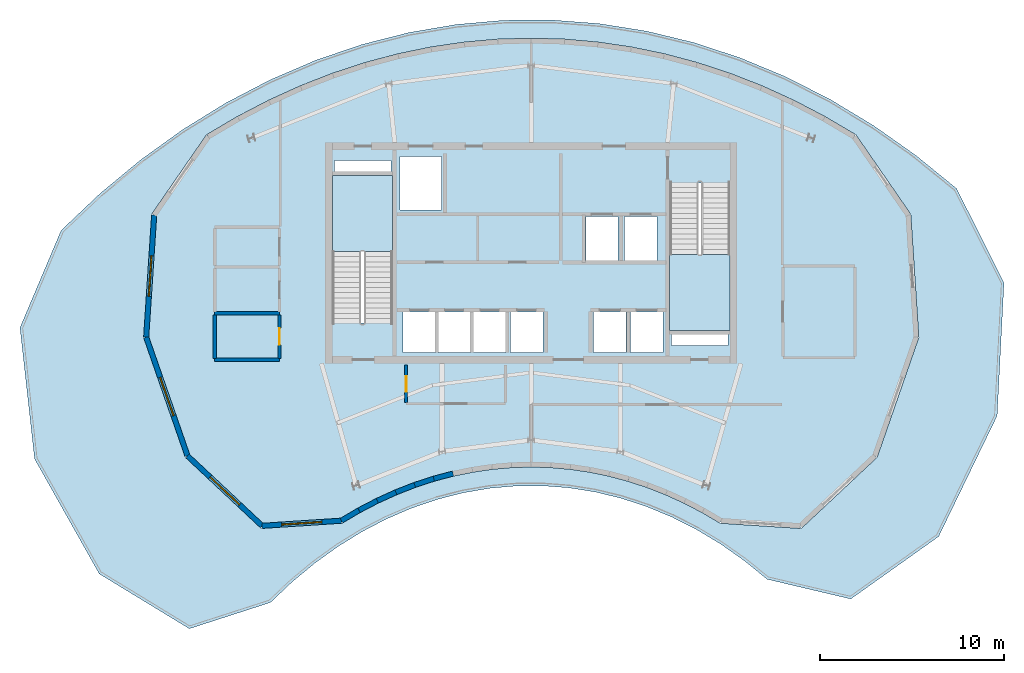
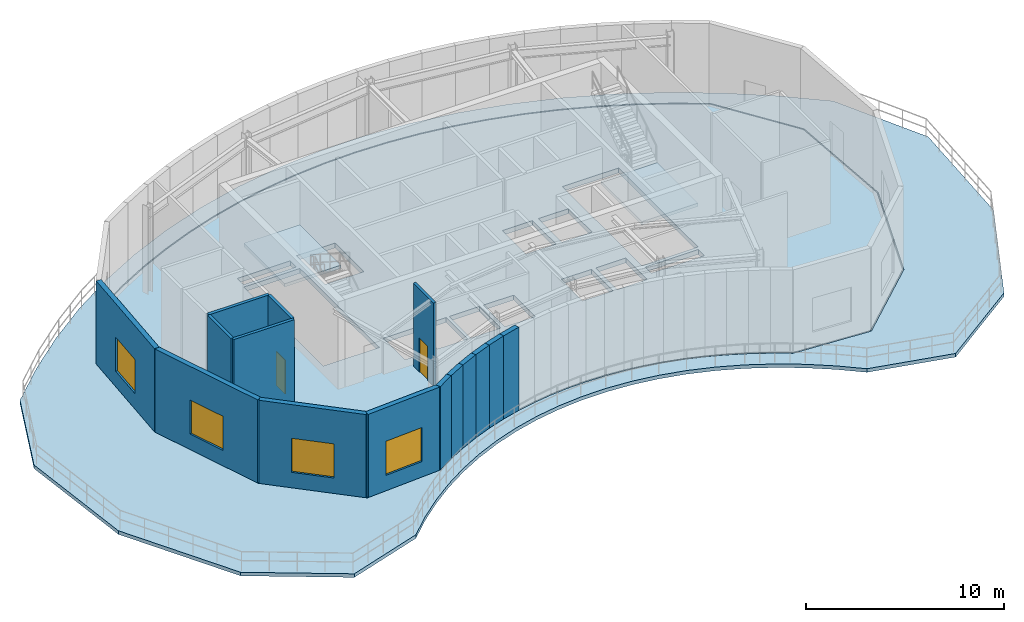
# One storey, part 2 of 8: 15 walls, 4 slabs, 4 windows, 2 doors, 6 openings, 2 elements without a shape of their own.
"""IFC4 building model written with IfcOpenShell, lengths in metres."""

from ifc_helpers import new_model, si_unit, direction, frame, frame_2d, origin, place, context, subcontext, project, spatial, polyline, rectangle, outline, extrude, source, transform, mapped, material, layer, layer_set, type_object, type_shapes, element, fill, aggregate, save


model = new_model("IFC4")

# Units and contexts
model_context = context("Model", 3, precision=1e-05, world=origin(), true_north=direction((0.0, 1.0)))
body_context = subcontext(model_context, "Body", "Model", "MODEL_VIEW")
ifc_project = project(units=[si_unit("LENGTHUNIT", "METRE"), si_unit("AREAUNIT", "SQUARE_METRE"), si_unit("VOLUMEUNIT", "CUBIC_METRE"), si_unit("PLANEANGLEUNIT", "RADIAN"), si_unit("MASSUNIT", "GRAM", prefix="KILO")], contexts=[model_context])

# Site, building, storey
site_placement = place(None, origin())
site = spatial("IfcSite", under=ifc_project, at=site_placement, CompositionType="ELEMENT")
building_placement = place(site_placement, origin())
building = spatial("IfcBuilding", under=site, at=building_placement, Name="Breltana Convention Tower", CompositionType="ELEMENT")
storey_placement = place(building_placement, frame((0.0, 0.0, 312.60009765625)))
storey = spatial("IfcBuildingStorey", under=building, at=storey_placement, Name="L76", CompositionType="ELEMENT", Elevation=312.60009765625)

# Slab
ifc_material_1 = material(Name="Concrete C40/50", Category="concrete")
ifc_layer_1 = layer(ifc_material_1, 0.300048828125, Name="Concrete C40/50")
ifc_layer_set_1 = layer_set([ifc_layer_1], Name="Concrete C40/50")
slab_type_1 = type_object("IfcSlabType", Name="SL-POD-300", PredefinedType="FLOOR", material=ifc_layer_set_1)
slab_1_placement = place(storey_placement, frame((0.0, 0.0, -0.300048828125)))
element("IfcSlab", 1, at=slab_1_placement, inside=storey, type_object=slab_type_1, Name="L76 Suspended Structural Floor Slab", PredefinedType="FLOOR", context=body_context, shape_type="SweptSolid", body=[
    extrude(outline(polyline([(65.60205078125, 72.581787109375), (63.938720703125, 73.5625), (62.2451171875, 74.4453125), (60.5244140625, 75.227783203125), (58.77978515625, 75.9091796875), (57.0146484375, 76.488037109375), (55.232421875, 76.963134765625), (53.436279296875, 77.33349609375), (51.6298828125, 77.5986328125), (49.816650390625, 77.7578125), (48.0, 77.81103515625), (46.183349609375, 77.7578125), (44.3701171875, 77.5986328125), (42.563720703125, 77.33349609375), (40.767578125, 76.963134765625), (38.9853515625, 76.488037109375), (37.22021484375, 75.9091796875), (35.4755859375, 75.227783203125), (33.7548828125, 74.4453125), (32.061279296875, 73.5625), (30.39794921875, 72.581787109375), (27.43115234375, 68.28564453125), (26.993896484375, 61.61767578125), (29.253173828125, 55.125244140625), (33.345947265625, 51.2880859375), (37.709228515625, 51.572021484375), (38.681640625, 52.145263671875), (39.671875, 52.6611328125), (40.677734375, 53.118896484375), (41.69775390625, 53.51708984375), (42.729736328125, 53.855712890625), (43.771728515625, 54.13330078125), (44.82177734375, 54.349853515625), (45.877685546875, 54.5048828125), (46.93798828125, 54.597900390625), (48.0, 54.62890625), (49.06201171875, 54.597900390625), (50.122314453125, 54.5048828125), (51.17822265625, 54.349853515625), (52.228271484375, 54.13330078125), (53.270263671875, 53.855712890625), (54.30224609375, 53.51708984375), (55.322265625, 53.118896484375), (56.328125, 52.6611328125), (57.318359375, 52.145263671875), (58.290771484375, 51.572021484375), (62.654052734375, 51.2880859375), (66.746826171875, 55.125244140625), (69.006103515625, 61.61767578125), (68.56884765625, 68.28564453125), (65.60205078125, 72.581787109375)]), holes=[polyline([(37.199951171875, 62.385009765625), (40.469970703125, 62.385009765625), (40.469970703125, 70.39990234375), (37.199951171875, 70.39990234375), (37.199951171875, 62.385009765625)]), polyline([(55.530029296875, 62.0), (58.800048828125, 62.0), (58.800048828125, 70.014892578125), (55.530029296875, 70.014892578125), (55.530029296875, 62.0)]), polyline([(41.0400390625, 60.800048828125), (42.800048828125, 60.800048828125), (42.800048828125, 62.97998046875), (41.0400390625, 62.97998046875), (41.0400390625, 60.800048828125)]), polyline([(42.93994140625, 60.800048828125), (44.699951171875, 60.800048828125), (44.699951171875, 62.97998046875), (42.93994140625, 62.97998046875), (42.93994140625, 60.800048828125)]), polyline([(44.8701171875, 60.800048828125), (46.6298828125, 60.800048828125), (46.6298828125, 62.97998046875), (44.8701171875, 62.97998046875), (44.8701171875, 60.800048828125)]), polyline([(46.8701171875, 60.800048828125), (48.6298828125, 60.800048828125), (48.6298828125, 62.97998046875), (46.8701171875, 62.97998046875), (46.8701171875, 60.800048828125)]), polyline([(51.39990234375, 60.800048828125), (53.159912109375, 60.800048828125), (53.159912109375, 62.97998046875), (51.39990234375, 62.97998046875), (51.39990234375, 60.800048828125)]), polyline([(53.39990234375, 60.800048828125), (55.159912109375, 60.800048828125), (55.159912109375, 62.97998046875), (53.39990234375, 62.97998046875), (53.39990234375, 60.800048828125)]), polyline([(50.969970703125, 65.800048828125), (52.72998046875, 65.800048828125), (52.72998046875, 68.179931640625), (50.969970703125, 68.179931640625), (50.969970703125, 65.800048828125)]), polyline([(53.070068359375, 65.800048828125), (54.830078125, 65.800048828125), (54.830078125, 68.179931640625), (53.070068359375, 68.179931640625), (53.070068359375, 65.800048828125)]), polyline([(40.8798828125, 68.550048828125), (43.1201171875, 68.550048828125), (43.1201171875, 71.449951171875), (40.8798828125, 71.449951171875), (40.8798828125, 68.550048828125)]), polyline([(37.300048828125, 70.60009765625), (40.3798828125, 70.60009765625), (40.3798828125, 71.219970703125), (37.300048828125, 71.219970703125), (37.300048828125, 70.60009765625)]), polyline([(55.6201171875, 61.179931640625), (58.699951171875, 61.179931640625), (58.699951171875, 61.800048828125), (55.6201171875, 61.800048828125), (55.6201171875, 61.179931640625)])]), origin(), (0.0, 0.0, 1.0), 0.300048828125),
])

# Stair, slab
stair_type = type_object("IfcStairType", Name="ST-DOG-1560-R180", PredefinedType="HALF_TURN_STAIR", material=ifc_material_1)
stair_1_placement = place(storey_placement, origin())
stair_1 = element("IfcStair", 2, at=stair_1_placement, inside=storey, type_object=stair_type, Name="L76 Protected Core Exit Stair ST-1", PredefinedType="HALF_TURN_STAIR")
ifc_layer_2 = layer(ifc_material_1, 0.199951171875, Name="Concrete C40/50")
ifc_layer_set_2 = layer_set([ifc_layer_2], Name="Concrete C40/50")
slab_type_2 = type_object("IfcSlabType", Name="SL-STAIR-LANDING-200", PredefinedType="LANDING", material=ifc_layer_set_2)
slab_2_placement = place(storey_placement, frame((0.0, 0.0, 2.5)))
slab_2 = element("IfcSlab", 3, at=slab_2_placement, type_object=slab_type_2, Name="ST-1 landing 1", PredefinedType="LANDING", context=body_context, shape_type="SweptSolid", body=[
    extrude(outline(polyline([(40.469970703125, 66.280029296875), (40.469970703125, 70.39990234375), (37.199951171875, 70.39990234375), (37.199951171875, 66.280029296875), (40.469970703125, 66.280029296875)])), origin(), (0.0, 0.0, 1.0), 0.199951171875),
])
aggregate(stair_1, [slab_2])

stair_2_placement = place(storey_placement, origin())
stair_2 = element("IfcStair", 4, at=stair_2_placement, inside=storey, type_object=stair_type, Name="L76 Protected Core Exit Stair ST-2", PredefinedType="HALF_TURN_STAIR")
slab_3_placement = place(storey_placement, frame((0.0, 0.0, 2.5)))
slab_3 = element("IfcSlab", 5, at=slab_3_placement, type_object=slab_type_2, Name="ST-2 landing 1", PredefinedType="LANDING", context=body_context, shape_type="SweptSolid", body=[
    extrude(outline(polyline([(55.530029296875, 66.1201171875), (55.530029296875, 62.0), (58.800048828125, 62.0), (58.800048828125, 66.1201171875), (55.530029296875, 66.1201171875)])), origin(), (0.0, 0.0, 1.0), 0.199951171875),
])
aggregate(stair_2, [slab_3])

# Slab
ifc_layer_3 = layer(ifc_material_1, 0.219970703125, Name="Concrete C40/50")
ifc_layer_set_3 = layer_set([ifc_layer_3], Name="Concrete C40/50")
slab_type_3 = type_object("IfcSlabType", Name="SL-TERR-220", PredefinedType="FLOOR", material=ifc_layer_set_3)
slab_4_placement = place(storey_placement, frame((0.0, 0.0, -0.22021484375)))
element("IfcSlab", 6, at=slab_4_placement, inside=storey, type_object=slab_type_3, Name="L76 Open-Air Public Observation Deck 1", PredefinedType="FLOOR", context=body_context, shape_type="SweptSolid", body=[
    extrude(outline(polyline([(73.698486328125, 64.57861328125), (73.326416015625, 57.352783203125), (70.1455078125, 50.789306640625), (65.370849609375, 47.394775390625), (60.826171875, 48.4658203125), (59.5966796875, 49.4658203125), (58.323486328125, 50.36328125), (57.01220703125, 51.15478515625), (55.6669921875, 51.837646484375), (54.29345703125, 52.4091796875), (52.896240234375, 52.867431640625), (51.48095703125, 53.21044921875), (50.052490234375, 53.43701171875), (48.616455078125, 53.546142578125), (47.177978515625, 53.537841796875), (45.742919921875, 53.41162109375), (44.31591796875, 53.16845703125), (42.90283203125, 52.80908203125), (41.5087890625, 52.33447265625), (40.138916015625, 51.746826171875), (38.79833984375, 51.04833984375), (37.491943359375, 50.241455078125), (36.22509765625, 49.3291015625), (35.001953125, 48.31494140625), (33.827392578125, 47.202392578125), (29.418701171875, 45.779296875), (24.52197265625, 48.762451171875), (21.007080078125, 55.0126953125), (20.216796875, 62.142578125), (22.452880859375, 67.4287109375), (24.5703125, 69.433837890625), (26.77490234375, 71.26220703125), (29.058837890625, 72.906494140625), (31.41357421875, 74.361083984375), (33.829833984375, 75.620361328125), (36.29931640625, 76.679443359375), (38.81201171875, 77.53466796875), (41.359375, 78.1826171875), (43.931396484375, 78.62109375), (46.5185546875, 78.848388671875), (49.111083984375, 78.863525390625), (51.69970703125, 78.66650390625), (54.2744140625, 78.25830078125), (56.825927734375, 77.639892578125), (59.34423828125, 76.814208984375), (61.8203125, 75.783935546875), (64.244873046875, 74.552978515625), (66.60888671875, 73.126220703125), (68.9033203125, 71.50830078125), (71.119873046875, 69.7060546875), (73.698486328125, 64.57861328125)]), holes=[polyline([(65.6474609375, 72.62109375), (65.64306640625, 72.625732421875), (65.637939453125, 72.6298828125), (65.632568359375, 72.633544921875), (63.96923828125, 73.6142578125), (63.966552734375, 73.61572265625), (62.272705078125, 74.498291015625), (62.27001953125, 74.499755859375), (60.54931640625, 75.282470703125), (60.546142578125, 75.28369140625), (58.801513671875, 75.965087890625), (58.798583984375, 75.96630859375), (57.033447265625, 76.545166015625), (57.0302734375, 76.546142578125), (55.247802734375, 77.02099609375), (55.244384765625, 77.02197265625), (53.448486328125, 77.392333984375), (53.445068359375, 77.392822265625), (51.638671875, 77.657958984375), (51.63525390625, 77.658447265625), (49.822021484375, 77.817626953125), (49.818603515625, 77.81787109375), (48.001708984375, 77.87109375), (47.998291015625, 77.87109375), (46.181396484375, 77.81787109375), (46.177978515625, 77.817626953125), (44.36474609375, 77.658447265625), (44.361328125, 77.657958984375), (42.554931640625, 77.392822265625), (42.551513671875, 77.392333984375), (40.755615234375, 77.02197265625), (40.752197265625, 77.02099609375), (38.9697265625, 76.546142578125), (38.966552734375, 76.545166015625), (37.201416015625, 75.96630859375), (37.198486328125, 75.965087890625), (35.453857421875, 75.28369140625), (35.45068359375, 75.282470703125), (33.72998046875, 74.499755859375), (33.727294921875, 74.498291015625), (32.033447265625, 73.61572265625), (32.03076171875, 73.6142578125), (30.367431640625, 72.633544921875), (30.362060546875, 72.6298828125), (30.35693359375, 72.625732421875), (30.3525390625, 72.62109375), (30.348388671875, 72.615966796875), (27.381591796875, 68.319580078125), (27.37841796875, 68.314208984375), (27.37548828125, 68.308349609375), (27.37353515625, 68.30224609375), (27.3720703125, 68.2958984375), (27.37109375, 68.28955078125), (26.933837890625, 61.62158203125), (26.933837890625, 61.615478515625), (26.934326171875, 61.609619140625), (26.935302734375, 61.603759765625), (26.93701171875, 61.597900390625), (29.1962890625, 55.10546875), (29.198486328125, 55.10009765625), (29.201416015625, 55.094970703125), (29.204345703125, 55.090087890625), (29.2080078125, 55.085693359375), (29.212158203125, 55.081298828125), (33.304931640625, 51.244384765625), (33.3095703125, 51.240478515625), (33.314697265625, 51.23681640625), (33.320068359375, 51.23388671875), (33.32568359375, 51.231689453125), (33.33154296875, 51.229736328125), (33.337646484375, 51.228759765625), (33.34375, 51.22802734375), (33.349853515625, 51.228271484375), (37.713134765625, 51.511962890625), (37.71875, 51.5126953125), (37.72412109375, 51.513916015625), (37.7294921875, 51.515380859375), (37.734619140625, 51.517578125), (37.73974609375, 51.520263671875), (38.710693359375, 52.0927734375), (39.697998046875, 52.607177734375), (40.701171875, 53.0634765625), (41.718017578125, 53.460693359375), (42.746826171875, 53.798095703125), (43.785400390625, 54.074951171875), (44.83203125, 54.290771484375), (45.884765625, 54.4453125), (46.94140625, 54.5380859375), (48.0, 54.569091796875), (49.05859375, 54.5380859375), (50.115234375, 54.4453125), (51.16796875, 54.290771484375), (52.214599609375, 54.074951171875), (53.253173828125, 53.798095703125), (54.281982421875, 53.460693359375), (55.298828125, 53.0634765625), (56.302001953125, 52.607177734375), (57.289306640625, 52.0927734375), (58.26025390625, 51.520263671875), (58.265380859375, 51.517578125), (58.2705078125, 51.515380859375), (58.27587890625, 51.513916015625), (58.28125, 51.5126953125), (58.286865234375, 51.511962890625), (62.650146484375, 51.228271484375), (62.65625, 51.22802734375), (62.662353515625, 51.228759765625), (62.66845703125, 51.229736328125), (62.67431640625, 51.231689453125), (62.679931640625, 51.23388671875), (62.685302734375, 51.23681640625), (62.6904296875, 51.240478515625), (62.695068359375, 51.244384765625), (66.787841796875, 55.081298828125), (66.7919921875, 55.085693359375), (66.795654296875, 55.090087890625), (66.798583984375, 55.094970703125), (66.801513671875, 55.10009765625), (66.8037109375, 55.10546875), (69.06298828125, 61.597900390625), (69.064697265625, 61.603759765625), (69.065673828125, 61.609619140625), (69.066162109375, 61.615478515625), (69.066162109375, 61.62158203125), (68.62890625, 68.28955078125), (68.6279296875, 68.2958984375), (68.62646484375, 68.30224609375), (68.62451171875, 68.308349609375), (68.62158203125, 68.314208984375), (68.618408203125, 68.319580078125), (65.651611328125, 72.615966796875), (65.6474609375, 72.62109375)])]), origin(), (0.0, 0.0, 1.0), 0.22021484375),
])

# Wall, opening, window
ifc_material_2 = material(Name="Limestone Buff Insulated Wall", Category="masonry")
ifc_layer_4 = layer(ifc_material_2, 0.280029296875, Name="Limestone Buff Insulated Wall")
ifc_layer_set_4 = layer_set([ifc_layer_4], Name="Limestone Buff Insulated Wall")
wall_type_1 = type_object("IfcWallType", Name="WL-EXT-NOSE-280", PredefinedType="SOLIDWALL", material=ifc_layer_set_4)
shared_shape_1 = source(origin(), body_context, "Body", "SweptSolid", [
    extrude(rectangle(XDim=6.643798828125, YDim=0.280029296875, at=frame_2d((3.32177734375, 0.0))), origin(), (0.0, 0.0, 1.0), 5.119873046875),
])
wall_1_placement = place(storey_placement, frame((27.07470703125, 61.628662109375, 0.0), z_axis=(0.0, 0.0, 1.0), x_axis=(0.065445838889, 0.997856122982, 0.0)))
wall_1 = element("IfcWall", 7, at=wall_1_placement, inside=storey, type_object=wall_type_1, Name="L76 Sky Lookout enclosure wall 48", PredefinedType="SOLIDWALL", context=body_context, shape_type="MappedRepresentation", body=[
    mapped(shared_shape_1, transform((0.0, 0.0, 0.0), scale=1.0)),
])
opening_1_placement = place(wall_1_placement, frame((2.221923828125, 0.0, 0.949951171875)))
opening_1 = element("IfcOpeningElement", 8, at=opening_1_placement, cuts=wall_1, Name="Opening W-03", PredefinedType="OPENING", context=body_context, shape_type="SweptSolid", body=[
    extrude(rectangle(XDim=2.199951171875, YDim=2.10009765625, at=frame_2d((1.10009765625, 1.050048828125))), frame((0.0, 0.14990234375, 0.0), z_axis=(0.0, -1.0, 0.0), x_axis=(1.0, 0.0, 0.0)), (0.0, 0.0, 1.0), 0.300048828125),
])
ifc_material_3 = material(Name="Glass Low-E Insulated Window", Category="glass")
window_type = type_object("IfcWindowType", Name="WN-NOSE-2200X2100", PartitioningType="TRIPLE_PANEL_VERTICAL", PredefinedType="WINDOW", material=ifc_material_3)
shared_shape_2 = source(origin(), body_context, "Body", "SweptSolid", [
    extrude(rectangle(XDim=2.199951171875, YDim=2.10009765625, at=frame_2d((1.10009765625, 1.050048828125))), frame((0.0, 0.030029296875, 0.0), z_axis=(0.0, -1.0, 0.0), x_axis=(1.0, 0.0, 0.0)), (0.0, 0.0, 1.0), 0.06005859375),
])
type_shapes(window_type, [shared_shape_2])
window_1_placement = place(opening_1_placement, origin())
window_1 = element("IfcWindow", 9, at=window_1_placement, inside=storey, type_object=window_type, Name="L76 lookout viewing window 48", OverallHeight=2.10009765625, OverallWidth=2.199951171875, PartitioningType="TRIPLE_PANEL_VERTICAL", PredefinedType="WINDOW", context=body_context, shape_type="MappedRepresentation", body=[
    mapped(shared_shape_2, transform((0.0, 0.0, 0.0), scale=1.0)),
])
fill(opening_1, window_1)

shared_shape_3 = source(origin(), body_context, "Body", "SweptSolid", [
    extrude(rectangle(XDim=6.83837890625, YDim=0.280029296875, at=frame_2d((3.419189453125, 0.0))), origin(), (0.0, 0.0, 1.0), 5.119873046875),
])
wall_2_placement = place(storey_placement, frame((29.322265625, 55.170166015625, 0.0), z_axis=(0.0, 0.0, 1.0), x_axis=(-0.328667400225, 0.944445731649, 0.0)))
wall_2 = element("IfcWall", 10, at=wall_2_placement, inside=storey, type_object=wall_type_1, Name="L76 Sky Lookout enclosure wall 47", PredefinedType="SOLIDWALL", context=body_context, shape_type="MappedRepresentation", body=[
    mapped(shared_shape_3, transform((0.0, 0.0, 0.0), scale=1.0)),
])
opening_2_placement = place(wall_2_placement, frame((2.319091796875, 0.0, 0.949951171875)))
opening_2 = element("IfcOpeningElement", 11, at=opening_2_placement, cuts=wall_2, Name="Opening W-03", PredefinedType="OPENING", context=body_context, shape_type="SweptSolid", body=[
    extrude(rectangle(XDim=2.199951171875, YDim=2.10009765625, at=frame_2d((1.10009765625, 1.050048828125))), frame((0.0, 0.14990234375, 0.0), z_axis=(0.0, -1.0, 0.0), x_axis=(1.0, 0.0, 0.0)), (0.0, 0.0, 1.0), 0.300048828125),
])
window_2_placement = place(opening_2_placement, origin())
window_2 = element("IfcWindow", 12, at=window_2_placement, inside=storey, type_object=window_type, Name="L76 lookout viewing window 47", OverallHeight=2.10009765625, OverallWidth=2.199951171875, PartitioningType="TRIPLE_PANEL_VERTICAL", PredefinedType="WINDOW", context=body_context, shape_type="MappedRepresentation", body=[
    mapped(shared_shape_2, transform((0.0, 0.0, 0.0), scale=1.0)),
])
fill(opening_2, window_2)

shared_shape_4 = source(origin(), body_context, "Body", "SweptSolid", [
    extrude(rectangle(XDim=5.555908203125, YDim=0.280029296875, at=frame_2d((2.77783203125, 0.0))), origin(), (0.0, 0.0, 1.0), 5.119873046875),
])
wall_3_placement = place(storey_placement, frame((33.37548828125, 51.3701171875, 0.0), z_axis=(0.0, 0.0, 1.0), x_axis=(-0.729523500697, 0.683955745594, 0.0)))
wall_3 = element("IfcWall", 13, at=wall_3_placement, inside=storey, type_object=wall_type_1, Name="L76 Sky Lookout enclosure wall 46", PredefinedType="SOLIDWALL", context=body_context, shape_type="MappedRepresentation", body=[
    mapped(shared_shape_4, transform((0.0, 0.0, 0.0), scale=1.0)),
])
opening_3_placement = place(wall_3_placement, frame((1.677978515625, 0.0, 0.949951171875)))
opening_3 = element("IfcOpeningElement", 14, at=opening_3_placement, cuts=wall_3, Name="Opening W-03", PredefinedType="OPENING", context=body_context, shape_type="SweptSolid", body=[
    extrude(rectangle(XDim=2.199951171875, YDim=2.10009765625, at=frame_2d((1.10009765625, 1.050048828125))), frame((0.0, 0.14990234375, 0.0), z_axis=(0.0, -1.0, 0.0), x_axis=(1.0, 0.0, 0.0)), (0.0, 0.0, 1.0), 0.300048828125),
])
window_3_placement = place(opening_3_placement, origin())
window_3 = element("IfcWindow", 15, at=window_3_placement, inside=storey, type_object=window_type, Name="L76 lookout viewing window 46", OverallHeight=2.10009765625, OverallWidth=2.199951171875, PartitioningType="TRIPLE_PANEL_VERTICAL", PredefinedType="WINDOW", context=body_context, shape_type="MappedRepresentation", body=[
    mapped(shared_shape_2, transform((0.0, 0.0, 0.0), scale=1.0)),
])
fill(opening_3, window_3)

shared_shape_5 = source(origin(), body_context, "Body", "SweptSolid", [
    extrude(rectangle(XDim=4.318603515625, YDim=0.280029296875, at=frame_2d((2.1591796875, 0.0))), origin(), (0.0, 0.0, 1.0), 5.119873046875),
])
wall_4_placement = place(storey_placement, frame((37.68505859375, 51.650390625, 0.0), z_axis=(0.0, 0.0, 1.0), x_axis=(-0.997891901263, -0.064898023037, 0.0)))
wall_4 = element("IfcWall", 16, at=wall_4_placement, inside=storey, type_object=wall_type_1, Name="L76 Sky Lookout enclosure wall 45", PredefinedType="SOLIDWALL", context=body_context, shape_type="MappedRepresentation", body=[
    mapped(shared_shape_5, transform((0.0, 0.0, 0.0), scale=1.0)),
])
opening_4_placement = place(wall_4_placement, frame((1.059326171875, 0.0, 0.949951171875)))
opening_4 = element("IfcOpeningElement", 17, at=opening_4_placement, cuts=wall_4, Name="Opening W-03", PredefinedType="OPENING", context=body_context, shape_type="SweptSolid", body=[
    extrude(rectangle(XDim=2.199951171875, YDim=2.10009765625, at=frame_2d((1.10009765625, 1.050048828125))), frame((0.0, 0.14990234375, 0.0), z_axis=(0.0, -1.0, 0.0), x_axis=(1.0, 0.0, 0.0)), (0.0, 0.0, 1.0), 0.300048828125),
])
window_4_placement = place(opening_4_placement, origin())
window_4 = element("IfcWindow", 18, at=window_4_placement, inside=storey, type_object=window_type, Name="L76 lookout viewing window 45", OverallHeight=2.10009765625, OverallWidth=2.199951171875, PartitioningType="TRIPLE_PANEL_VERTICAL", PredefinedType="WINDOW", context=body_context, shape_type="MappedRepresentation", body=[
    mapped(shared_shape_2, transform((0.0, 0.0, 0.0), scale=1.0)),
])
fill(opening_4, window_4)

# Walls
shared_shape_6 = source(origin(), body_context, "Body", "SweptSolid", [
    extrude(rectangle(XDim=1.10986328125, YDim=0.280029296875, at=frame_2d((0.554931640625, 0.0))), origin(), (0.0, 0.0, 1.0), 5.119873046875),
])
wall_5_placement = place(storey_placement, frame((38.64111328125, 52.214111328125, 0.0), z_axis=(0.0, 0.0, 1.0), x_axis=(-0.861407855959, -0.507913876254, 0.0)))
element("IfcWall", 19, at=wall_5_placement, inside=storey, type_object=wall_type_1, Name="L76 Sky Lookout enclosure wall 44", PredefinedType="SOLIDWALL", context=body_context, shape_type="MappedRepresentation", body=[
    mapped(shared_shape_6, transform((0.0, 0.0, 0.0), scale=1.0)),
])
shared_shape_7 = source(origin(), body_context, "Body", "SweptSolid", [
    extrude(rectangle(XDim=1.116455078125, YDim=0.280029296875, at=frame_2d((0.55810546875, 0.0))), origin(), (0.0, 0.0, 1.0), 5.119873046875),
])
wall_6_placement = place(storey_placement, frame((39.634765625, 52.732177734375, 0.0), z_axis=(0.0, 0.0, 1.0), x_axis=(-0.886822600165, -0.462110025684, 0.0)))
element("IfcWall", 20, at=wall_6_placement, inside=storey, type_object=wall_type_1, Name="L76 Sky Lookout enclosure wall 42", PredefinedType="SOLIDWALL", context=body_context, shape_type="MappedRepresentation", body=[
    mapped(shared_shape_7, transform((0.0, 0.0, 0.0), scale=1.0)),
])
shared_shape_8 = source(origin(), body_context, "Body", "SweptSolid", [
    extrude(rectangle(XDim=1.10546875, YDim=0.280029296875, at=frame_2d((0.552734375, 0.0))), origin(), (0.0, 0.0, 1.0), 5.119873046875),
])
wall_7_placement = place(storey_placement, frame((40.644775390625, 53.191650390625, 0.0), z_axis=(0.0, 0.0, 1.0), x_axis=(-0.910215134163, -0.414135738063, 0.0)))
element("IfcWall", 21, at=wall_7_placement, inside=storey, type_object=wall_type_1, Name="L76 Sky Lookout enclosure wall 40", PredefinedType="SOLIDWALL", context=body_context, shape_type="MappedRepresentation", body=[
    mapped(shared_shape_8, transform((0.0, 0.0, 0.0), scale=1.0)),
])
shared_shape_9 = source(origin(), body_context, "Body", "SweptSolid", [
    extrude(rectangle(XDim=1.094970703125, YDim=0.280029296875, at=frame_2d((0.54736328125, 0.0))), origin(), (0.0, 0.0, 1.0), 5.119873046875),
])
wall_8_placement = place(storey_placement, frame((41.668701171875, 53.591796875, 0.0), z_axis=(0.0, 0.0, 1.0), x_axis=(-0.931459710654, -0.363844482477, 0.0)))
element("IfcWall", 22, at=wall_8_placement, inside=storey, type_object=wall_type_1, Name="L76 Sky Lookout enclosure wall 38", PredefinedType="SOLIDWALL", context=body_context, shape_type="MappedRepresentation", body=[
    mapped(shared_shape_9, transform((0.0, 0.0, 0.0), scale=1.0)),
])
shared_shape_10 = source(origin(), body_context, "Body", "SweptSolid", [
    extrude(rectangle(XDim=1.0859375, YDim=0.280029296875, at=frame_2d((0.54296875, 0.0))), origin(), (0.0, 0.0, 1.0), 5.119873046875),
])
wall_9_placement = place(storey_placement, frame((42.704833984375, 53.931640625, 0.0), z_axis=(0.0, 0.0, 1.0), x_axis=(-0.950222994825, -0.311570634215, 0.0)))
element("IfcWall", 23, at=wall_9_placement, inside=storey, type_object=wall_type_1, Name="L76 Sky Lookout enclosure wall 36", PredefinedType="SOLIDWALL", context=body_context, shape_type="MappedRepresentation", body=[
    mapped(shared_shape_10, transform((0.0, 0.0, 0.0), scale=1.0)),
])
shared_shape_11 = source(origin(), body_context, "Body", "SweptSolid", [
    extrude(rectangle(XDim=1.07861328125, YDim=0.280029296875, at=frame_2d((0.539306640625, 0.0))), origin(), (0.0, 0.0, 1.0), 5.119873046875),
])
wall_10_placement = place(storey_placement, frame((43.751220703125, 54.210693359375, 0.0), z_axis=(0.0, 0.0, 1.0), x_axis=(-0.966257476267, -0.257578123212, 0.0)))
element("IfcWall", 24, at=wall_10_placement, inside=storey, type_object=wall_type_1, Name="L76 Sky Lookout enclosure wall 34", PredefinedType="SOLIDWALL", context=body_context, shape_type="MappedRepresentation", body=[
    mapped(shared_shape_11, transform((0.0, 0.0, 0.0), scale=1.0)),
])

# Wall, opening, door
ifc_material_4 = material(Name="Gypsum Acoustic Drywall Partition")
ifc_layer_5 = layer(ifc_material_4, 0.14990234375, Name="Gypsum Acoustic Drywall Partition")
ifc_layer_set_5 = layer_set([ifc_layer_5], Name="Gypsum Acoustic Drywall Partition")
wall_type_2 = type_object("IfcWallType", Name="WL-PART-150", PredefinedType="PARTITIONING", material=ifc_layer_set_5)
shared_shape_12 = source(origin(), body_context, "Body", "SweptSolid", [
    extrude(rectangle(XDim=2.03271484375, YDim=0.14990234375, at=frame_2d((1.016357421875, 0.0))), origin(), (0.0, 0.0, 1.0), 5.119873046875),
])
wall_11_placement = place(storey_placement, frame((41.199951171875, 58.0673828125, 0.0), z_axis=(0.0, 0.0, 1.0), x_axis=(0.0, 1.0, 0.0)))
wall_11 = element("IfcWall", 25, at=wall_11_placement, inside=storey, type_object=wall_type_2, Name="L76 interior partition W-L76-CRSC-W", PredefinedType="PARTITIONING", context=body_context, shape_type="MappedRepresentation", body=[
    mapped(shared_shape_12, transform((0.0, 0.0, 0.0), scale=1.0)),
])
opening_5_placement = place(wall_11_placement, frame((0.59130859375, 0.0, 0.0)))
opening_5 = element("IfcOpeningElement", 26, at=opening_5_placement, cuts=wall_11, Name="Opening D-20", PredefinedType="OPENING", context=body_context, shape_type="SweptSolid", body=[
    extrude(rectangle(XDim=0.85009765625, YDim=2.10009765625, at=frame_2d((0.425048828125, 1.050048828125))), frame((0.0, 0.0849609375, 0.0), z_axis=(0.0, -1.0, 0.0), x_axis=(1.0, 0.0, 0.0)), (0.0, 0.0, 1.0), 0.169921875),
])
ifc_material_5 = material(Name="Steel Closet Fire Door", Category="steel")
door_type_1 = type_object("IfcDoorType", Name="DR-FD60-850", OperationType="NOTDEFINED", PredefinedType="DOOR", material=ifc_material_5)
shared_shape_13 = source(origin(), body_context, "Body", "SweptSolid", [
    extrude(rectangle(XDim=0.85009765625, YDim=2.10009765625, at=frame_2d((0.425048828125, 1.050048828125))), frame((0.0, 0.02490234375, 0.0), z_axis=(0.0, -1.0, 0.0), x_axis=(1.0, 0.0, 0.0)), (0.0, 0.0, 1.0), 0.050048828125),
])
type_shapes(door_type_1, [shared_shape_13])
door_1_placement = place(opening_5_placement, origin())
door_1 = element("IfcDoor", 27, at=door_1_placement, inside=storey, type_object=door_type_1, Name="L76 interior door D-L76-CRSC", OperationType="SINGLE_SWING_LEFT", OverallHeight=2.10009765625, OverallWidth=0.85009765625, PredefinedType="DOOR", context=body_context, shape_type="MappedRepresentation", body=[
    mapped(shared_shape_13, transform((0.0, 0.0, 0.0), scale=1.0)),
])
fill(opening_5, door_1)

# Walls
ifc_material_6 = material(Name="Cement Board Wet-Area Partition")
ifc_layer_6 = layer(ifc_material_6, 0.175048828125, Name="Cement Board Wet-Area Partition")
ifc_layer_set_6 = layer_set([ifc_layer_6], Name="Cement Board Wet-Area Partition")
wall_type_3 = type_object("IfcWallType", Name="WL-WET-175", PredefinedType="PARTITIONING", material=ifc_layer_set_6)
shared_shape_14 = source(origin(), body_context, "Body", "SweptSolid", [
    extrude(rectangle(XDim=3.52001953125, YDim=0.175048828125, at=frame_2d((1.760009765625, 0.0))), origin(), (0.0, 0.0, 1.0), 5.119873046875),
])
wall_12_placement = place(storey_placement, frame((30.800048828125, 60.39990234375, 0.0), z_axis=(0.0, 0.0, 1.0), x_axis=(1.0, 0.0, 0.0)))
element("IfcWall", 28, at=wall_12_placement, inside=storey, type_object=wall_type_3, Name="L76 interior partition W-L76-WCM-S", PredefinedType="PARTITIONING", context=body_context, shape_type="MappedRepresentation", body=[
    mapped(shared_shape_14, transform((0.0, 0.0, 0.0), scale=1.0)),
])
ifc_material_7 = material(Name="Moisture-Resistant Gypsum Chase Wall")
ifc_layer_7 = layer(ifc_material_7, 0.179931640625, Name="Moisture-Resistant Gypsum Chase Wall")
ifc_layer_set_7 = layer_set([ifc_layer_7], Name="Moisture-Resistant Gypsum Chase Wall")
wall_type_4 = type_object("IfcWallType", Name="WL-PLUMB-180", PredefinedType="PLUMBINGWALL", material=ifc_layer_set_7)
shared_shape_15 = source(origin(), body_context, "Body", "SweptSolid", [
    extrude(rectangle(XDim=3.52001953125, YDim=0.179931640625, at=frame_2d((1.760009765625, 0.0))), origin(), (0.0, 0.0, 1.0), 5.119873046875),
])
wall_13_placement = place(storey_placement, frame((30.800048828125, 62.919921875, 0.0), z_axis=(0.0, 0.0, 1.0), x_axis=(1.0, 0.0, 0.0)))
element("IfcWall", 29, at=wall_13_placement, inside=storey, type_object=wall_type_4, Name="L76 interior partition W-L76-WCM-N", PredefinedType="PLUMBINGWALL", context=body_context, shape_type="MappedRepresentation", body=[
    mapped(shared_shape_15, transform((0.0, 0.0, 0.0), scale=1.0)),
])
shared_shape_16 = source(origin(), body_context, "Body", "SweptSolid", [
    extrude(rectangle(XDim=2.362548828125, YDim=0.175048828125, at=frame_2d((1.18115234375, 0.0))), origin(), (0.0, 0.0, 1.0), 5.119873046875),
])
wall_14_placement = place(storey_placement, frame((30.800048828125, 60.478759765625, 0.0), z_axis=(0.0, 0.0, 1.0), x_axis=(0.0, 1.0, 0.0)))
element("IfcWall", 30, at=wall_14_placement, inside=storey, type_object=wall_type_3, Name="L76 interior partition W-L76-WCM-W", PredefinedType="PARTITIONING", context=body_context, shape_type="MappedRepresentation", body=[
    mapped(shared_shape_16, transform((0.0, 0.0, 0.0), scale=1.0)),
])

# Wall, opening, door
wall_15_placement = place(storey_placement, frame((34.320068359375, 60.478759765625, 0.0), z_axis=(0.0, 0.0, 1.0), x_axis=(0.0, 1.0, 0.0)))
wall_15 = element("IfcWall", 31, at=wall_15_placement, inside=storey, type_object=wall_type_3, Name="L76 interior partition W-L76-WCM-E", PredefinedType="PARTITIONING", context=body_context, shape_type="MappedRepresentation", body=[
    mapped(shared_shape_16, transform((0.0, 0.0, 0.0), scale=1.0)),
])
opening_6_placement = place(wall_15_placement, frame((0.731201171875, 0.0, 0.0)))
opening_6 = element("IfcOpeningElement", 32, at=opening_6_placement, cuts=wall_15, Name="Opening D-19", PredefinedType="OPENING", context=body_context, shape_type="SweptSolid", body=[
    extrude(rectangle(XDim=0.89990234375, YDim=2.080078125, at=frame_2d((0.449951171875, 1.0400390625))), frame((0.0, 0.09765625, 0.0), z_axis=(0.0, -1.0, 0.0), x_axis=(1.0, 0.0, 0.0)), (0.0, 0.0, 1.0), 0.195068359375),
])
ifc_material_8 = material(Name="Timber Moisture-Resistant Door", Category="wood")
door_type_2 = type_object("IfcDoorType", Name="DR-WC-900", OperationType="NOTDEFINED", PredefinedType="DOOR", material=ifc_material_8)
shared_shape_17 = source(origin(), body_context, "Body", "SweptSolid", [
    extrude(rectangle(XDim=0.89990234375, YDim=2.080078125, at=frame_2d((0.449951171875, 1.0400390625))), frame((0.0, 0.02490234375, 0.0), z_axis=(0.0, -1.0, 0.0), x_axis=(1.0, 0.0, 0.0)), (0.0, 0.0, 1.0), 0.050048828125),
])
type_shapes(door_type_2, [shared_shape_17])
door_2_placement = place(opening_6_placement, origin())
door_2 = element("IfcDoor", 33, at=door_2_placement, inside=storey, type_object=door_type_2, Name="L76 interior door D-L76-WCM", OperationType="SINGLE_SWING_RIGHT", OverallHeight=2.080078125, OverallWidth=0.89990234375, PredefinedType="DOOR", context=body_context, shape_type="MappedRepresentation", body=[
    mapped(shared_shape_17, transform((0.0, 0.0, 0.0), scale=1.0)),
])
fill(opening_6, door_2)

save(model, "model.ifc")
